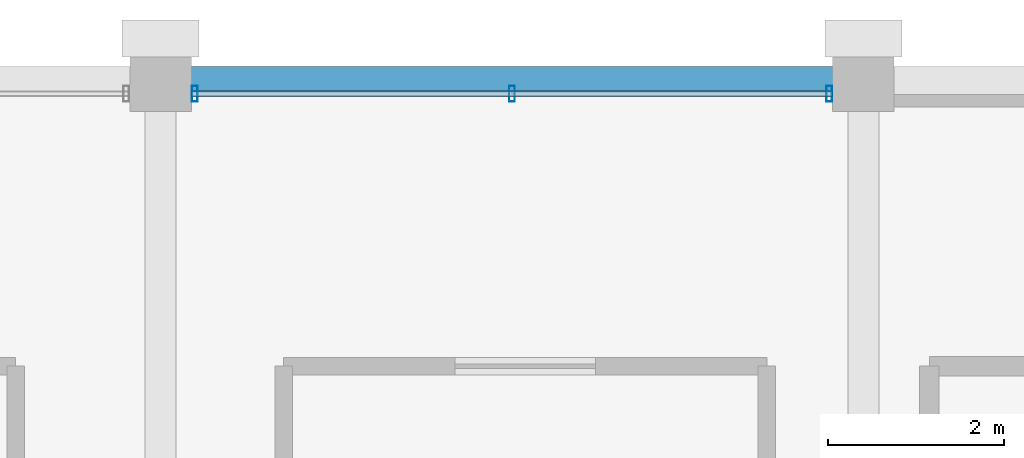
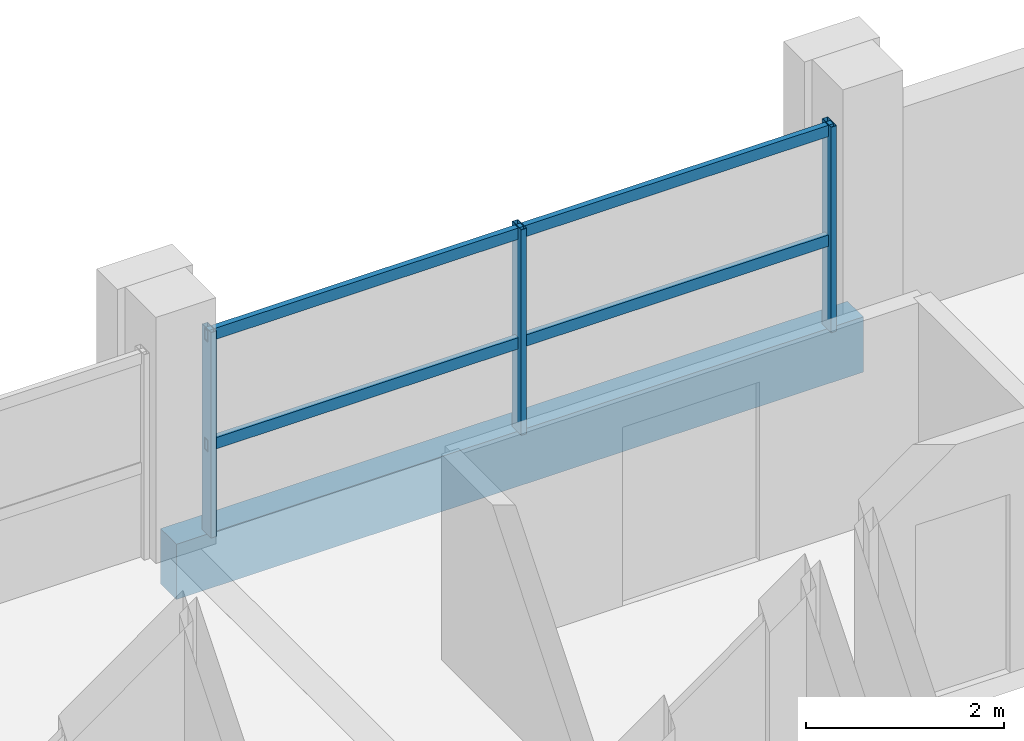
# One storey, part 19 of 25: 5 members, 1 beam, 1 element without a shape of its own.
"""IFC4 building model written with IfcOpenShell, lengths in metres."""

from ifc_helpers import new_model, si_unit, direction, frame, origin, origin_2d, place, context, subcontext, project, spatial, rectangle, hollow_rectangle, extrude, material, material_profile, profile_set, type_object, element, aggregate, save


model = new_model("IFC4")

# Units and contexts
model_context = context("Model", 3, precision=1e-05, world=origin(), true_north=direction((0.0, 1.0)))
body_context = subcontext(model_context, "Body", "Model", "MODEL_VIEW")
ifc_project = project(units=[si_unit("LENGTHUNIT", "METRE"), si_unit("AREAUNIT", "SQUARE_METRE"), si_unit("VOLUMEUNIT", "CUBIC_METRE"), si_unit("PLANEANGLEUNIT", "RADIAN"), si_unit("MASSUNIT", "GRAM", prefix="KILO")], contexts=[model_context])

# Site, building, storey
site_placement = place(None, origin())
site = spatial("IfcSite", under=ifc_project, at=site_placement, CompositionType="ELEMENT")
building_placement = place(site_placement, origin())
building = spatial("IfcBuilding", under=site, at=building_placement, Name="Akrevak Sports Hall", CompositionType="ELEMENT")
storey_placement = place(building_placement, frame((0.0, 0.0, 50.300048828125)))
storey = spatial("IfcBuildingStorey", under=building, at=storey_placement, Name="L12", CompositionType="ELEMENT", Elevation=50.300048828125)

# Curtain wall, members
ifc_material_1 = material(Name="Anodized Bronze Aluminium & Low-E Glass", Category="aluminium")
curtain_wall_type = type_object("IfcCurtainWallType", Name="ARC-CW-TWR-72x30", PredefinedType="NOTDEFINED", material=ifc_material_1)
curtain_wall_placement = place(storey_placement, origin())
curtain_wall = element("IfcCurtainWall", 1, at=curtain_wall_placement, inside=storey, type_object=curtain_wall_type, Name="Curtain Wall CW-L12-N21", PredefinedType="NOTDEFINED")
ifc_material_2 = material(Name="Anodized Bronze Aluminium", Category="aluminium")
ifc_material_profile_1 = material_profile(ifc_material_2, hollow_rectangle(XDim=0.06494140625, YDim=0.179931640625, WallThickness=0.00390625, at=origin_2d()), Name="CWM 65x180", Category="aluminium")
ifc_profile_set_1 = profile_set([ifc_material_profile_1], Name="Anodized Bronze Aluminium")
member_type_1 = type_object("IfcMemberType", Name="ARC-CWM-65x140", PredefinedType="MULLION", material=ifc_profile_set_1)
member_1_placement = place(storey_placement, frame((91.610107421875, 69.449951171875, 0.0), z_axis=(0.0, 0.0, 1.0), x_axis=(-1.0, 0.0, 0.0)))
member_1 = element("IfcMember", 2, at=member_1_placement, type_object=member_type_1, Name="Curtain Wall Mullion CW-L12-N21-M1", PredefinedType="MULLION", context=body_context, shape_type="SweptSolid", body=[
    extrude(hollow_rectangle(XDim=0.06494140625, YDim=0.179931640625, WallThickness=0.00390625, at=origin_2d()), origin(), (0.0, 0.0, 1.0), 2.530029296875),
])
member_2_placement = place(storey_placement, frame((88.0, 69.449951171875, 0.0), z_axis=(0.0, 0.0, 1.0), x_axis=(-1.0, 0.0, 0.0)))
member_2 = element("IfcMember", 3, at=member_2_placement, type_object=member_type_1, Name="Curtain Wall Mullion CW-L12-N21-M2", PredefinedType="MULLION", context=body_context, shape_type="SweptSolid", body=[
    extrude(hollow_rectangle(XDim=0.06494140625, YDim=0.179931640625, WallThickness=0.00390625, at=origin_2d()), origin(), (0.0, 0.0, 1.0), 2.530029296875),
])
member_3_placement = place(storey_placement, frame((84.389892578125, 69.449951171875, 0.0), z_axis=(0.0, 0.0, 1.0), x_axis=(-1.0, 0.0, 0.0)))
member_3 = element("IfcMember", 4, at=member_3_placement, type_object=member_type_1, Name="Curtain Wall Mullion CW-L12-N21-M3", PredefinedType="MULLION", context=body_context, shape_type="SweptSolid", body=[
    extrude(hollow_rectangle(XDim=0.06494140625, YDim=0.179931640625, WallThickness=0.00390625, at=origin_2d()), origin(), (0.0, 0.0, 1.0), 2.530029296875),
])
ifc_material_profile_2 = material_profile(ifc_material_2, hollow_rectangle(XDim=0.06494140625, YDim=0.139892578125, WallThickness=0.00390625, at=origin_2d()), Name="CWT 65x140", Category="aluminium")
ifc_profile_set_2 = profile_set([ifc_material_profile_2], Name="Anodized Bronze Aluminium")
member_type_2 = type_object("IfcMemberType", Name="ARC-CWT-65x110", PredefinedType="USERDEFINED", material=ifc_profile_set_2)
member_4_placement = place(storey_placement, frame((91.64990234375, 69.449951171875, 1.099853515625), z_axis=(-1.0, 0.0, 0.0), x_axis=(0.0, -1.0, 0.0)))
member_4 = element("IfcMember", 5, at=member_4_placement, type_object=member_type_2, Name="Curtain Wall Transom CW-L12-N21-T1", ObjectType="TRANSOM", PredefinedType="USERDEFINED", context=body_context, shape_type="SweptSolid", body=[
    extrude(hollow_rectangle(XDim=0.06494140625, YDim=0.139892578125, WallThickness=0.00390625, at=origin_2d()), origin(), (0.0, 0.0, 1.0), 7.2998046875),
])
member_5_placement = place(storey_placement, frame((91.64990234375, 69.449951171875, 2.449951171875), z_axis=(-1.0, 0.0, 0.0), x_axis=(0.0, -1.0, 0.0)))
member_5 = element("IfcMember", 6, at=member_5_placement, type_object=member_type_2, Name="Curtain Wall Transom CW-L12-N21-T2", ObjectType="TRANSOM", PredefinedType="USERDEFINED", context=body_context, shape_type="SweptSolid", body=[
    extrude(hollow_rectangle(XDim=0.06494140625, YDim=0.139892578125, WallThickness=0.00390625, at=origin_2d()), origin(), (0.0, 0.0, 1.0), 7.2998046875),
])
aggregate(curtain_wall, [member_1, member_2, member_3, member_4, member_5])

# Beam
ifc_material_3 = material(Name="Concrete C40/50", Category="concrete")
ifc_material_profile_3 = material_profile(ifc_material_3, rectangle(XDim=0.320068359375, YDim=0.679931640625, at=origin_2d()), Name="SPD 320x680", Category="concrete")
ifc_profile_set_3 = profile_set([ifc_material_profile_3], Name="Concrete C40/50")
beam_type = type_object("IfcBeamType", Name="STR-SPD-RC320x680", PredefinedType="SPANDREL", material=ifc_profile_set_3)
beam_placement = place(storey_placement, frame((84.0, 69.60009765625, -0.340087890625), z_axis=(1.0, 0.0, 0.0), x_axis=(0.0, 1.0, 0.0)))
element("IfcBeam", 7, at=beam_placement, inside=storey, type_object=beam_type, Name="Girder K/12-13 (L12)", PredefinedType="SPANDREL", context=body_context, shape_type="SweptSolid", body=[
    extrude(rectangle(XDim=0.320068359375, YDim=0.679931640625, at=origin_2d()), origin(), (0.0, 0.0, 1.0), 8.0),
])

save(model, "model.ifc")
